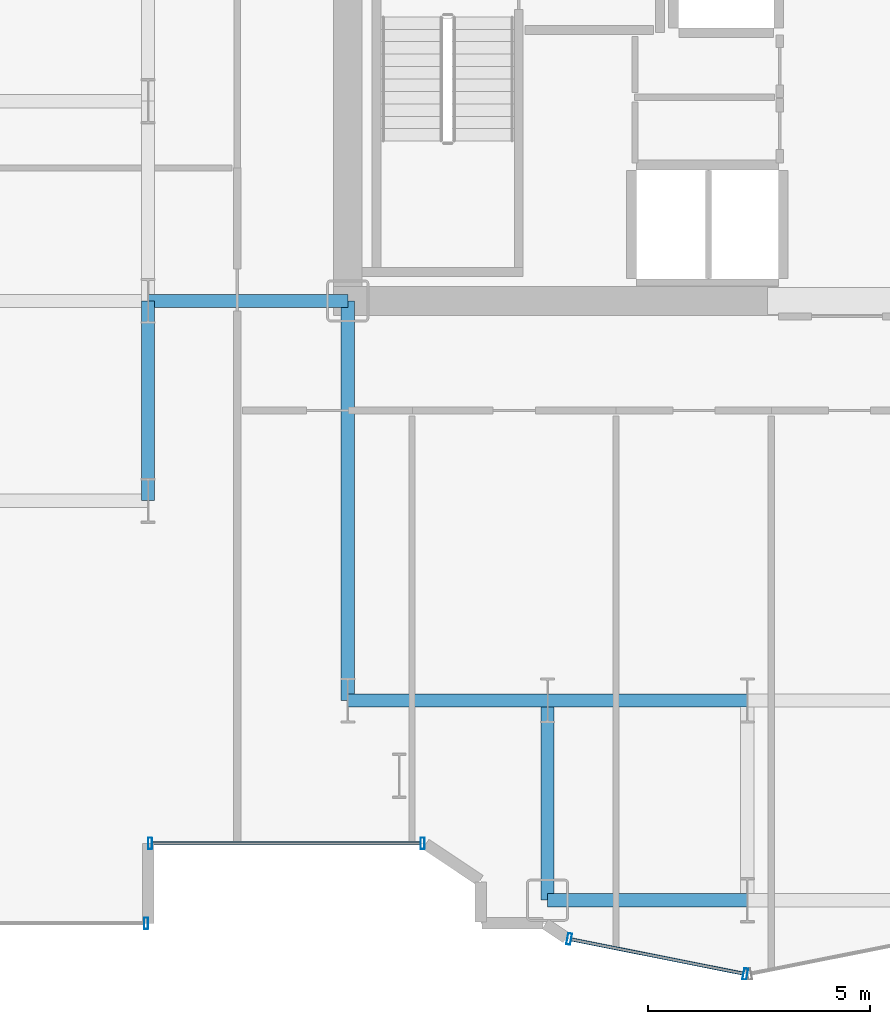
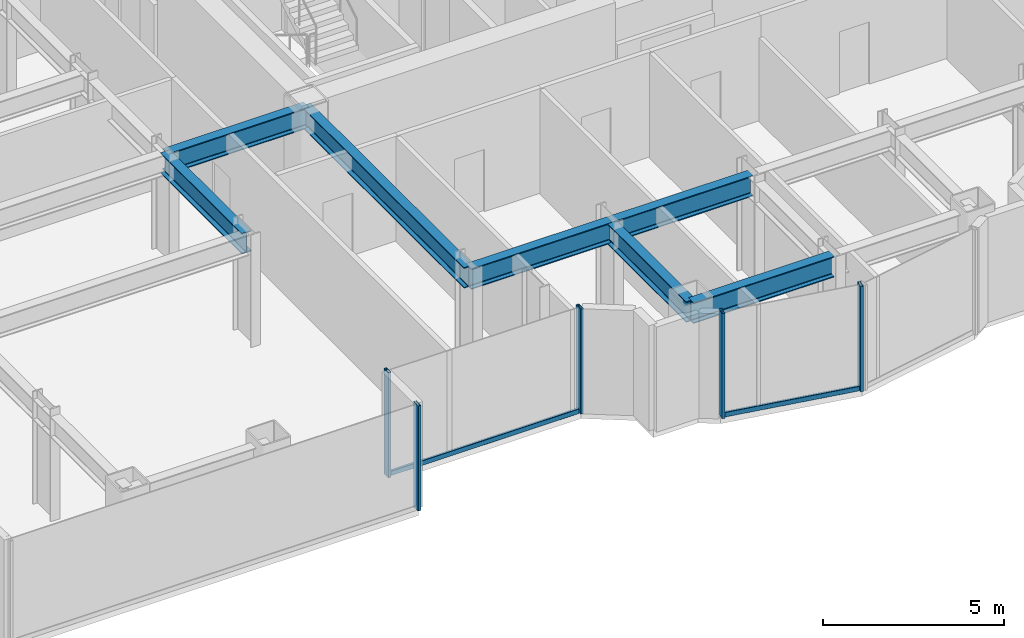
# One storey, part 4 of 26: 7 beams, 7 members, 3 elements without a shape of their own.
"""IFC4 building model written with IfcOpenShell, lengths in metres."""

from ifc_helpers import new_model, si_unit, direction, frame, origin, origin_2d, place, context, subcontext, project, spatial, hollow_rectangle, i_section, extrude, source, transform, mapped, material, layer, layer_set, material_profile, profile_set, type_object, element, aggregate, save


model = new_model("IFC4")

# Units and contexts
model_context = context("Model", 3, precision=1e-05, world=origin(), true_north=direction((0.0, 1.0)))
body_context = subcontext(model_context, "Body", "Model", "MODEL_VIEW")
ifc_project = project(units=[si_unit("LENGTHUNIT", "METRE"), si_unit("AREAUNIT", "SQUARE_METRE"), si_unit("VOLUMEUNIT", "CUBIC_METRE"), si_unit("PLANEANGLEUNIT", "RADIAN"), si_unit("MASSUNIT", "GRAM", prefix="KILO")], contexts=[model_context])

# Site, building, storey
site_placement = place(None, origin())
site = spatial("IfcSite", under=ifc_project, at=site_placement, CompositionType="ELEMENT")
building_placement = place(site_placement, origin())
building = spatial("IfcBuilding", under=site, at=building_placement, Name="Nefas-Gora Pilgrimage Tower", CompositionType="ELEMENT")
storey_placement = place(building_placement, frame((0.0, 0.0, 59.60009765625)))
storey = spatial("IfcBuildingStorey", under=building, at=storey_placement, Name="L13", CompositionType="ELEMENT", Elevation=59.60009765625)

# Beams
ifc_material_1 = material(Name="Steel S355", Category="steel")
ifc_material_profile_1 = material_profile(ifc_material_1, i_section(OverallWidth=0.300048828125, OverallDepth=0.699951171875, WebThickness=0.01708984375, FlangeThickness=0.031982421875, FilletRadius=0.027099609375, at=origin_2d()), Name="HEB 700")
ifc_profile_set_1 = profile_set([ifc_material_profile_1], Name="Steel S355")
beam_type = type_object("IfcBeamType", Name="BM-GIR-HEB700", PredefinedType="BEAM", material=ifc_profile_set_1)
shared_shape_1 = source(origin(), body_context, "Body", "SweptSolid", [
    extrude(i_section(OverallWidth=0.300048828125, OverallDepth=0.699951171875, WebThickness=0.01708984375, FlangeThickness=0.031982421875, FilletRadius=0.027099609375, at=origin_2d()), origin(), (0.0, 0.0, 1.0), 9.0),
])
beam_placement = place(storey_placement, frame((-11.25, -18.0, 3.199951171875), z_axis=(0.0, 1.0, 0.0), x_axis=(-1.0, 0.0, 0.0)))
element("IfcBeam", 1, at=beam_placement, inside=storey, type_object=beam_type, Name="L13 G-02 beam", PredefinedType="BEAM", context=body_context, shape_type="MappedRepresentation", body=[
    mapped(shared_shape_1, transform((0.0, 0.0, 0.0), x_axis=(1.0, 0.0, 0.0), y_axis=(0.0, 1.0, 0.0), z_axis=(0.0, 0.0, 1.0), scale=1.0)),
])
shared_shape_2 = source(origin(), body_context, "Body", "SweptSolid", [
    extrude(i_section(OverallWidth=0.300048828125, OverallDepth=0.699951171875, WebThickness=0.01708984375, FlangeThickness=0.031982421875, FilletRadius=0.027099609375, at=origin_2d()), origin(), (0.0, 0.0, 1.0), 4.5),
])
for number, where, z_axis, x_axis, name in (
    (2, (-15.75, -13.5, 3.199951171875), (0.0, 1.0, 0.0), (-1.0, 0.0, 0.0), "L13 G-02 beam"),
    (3, (-15.75, -9.0, 3.199951171875), (1.0, 0.0, 0.0), (0.0, 1.0, 0.0), "L13 G-02 beam"),
    (4, (-11.25, -18.0, 3.199951171875), (1.0, 0.0, 0.0), (0.0, 1.0, 0.0), "L13 G-02 beam"),
    (5, (-6.75, -22.5, 3.199951171875), (0.0, 1.0, 0.0), (-1.0, 0.0, 0.0), "L13 G-02 beam"),
    (6, (-6.75, -22.5, 3.199951171875), (1.0, 0.0, 0.0), (0.0, 1.0, 0.0), "L13 G-02 beam"),
    (7, (-6.75, -18.0, 3.199951171875), (1.0, 0.0, 0.0), (0.0, 1.0, 0.0), "L13 G-02 beam"),
):
    element("IfcBeam", number, at=place(storey_placement, frame(where, z_axis=z_axis, x_axis=x_axis)), inside=storey, type_object=beam_type, Name=name, PredefinedType="BEAM", context=body_context, shape_type="MappedRepresentation", body=[
        mapped(shared_shape_2, transform((0.0, 0.0, 0.0), x_axis=(1.0, 0.0, 0.0), y_axis=(0.0, 1.0, 0.0), z_axis=(0.0, 0.0, 1.0), scale=1.0)),
    ])

# Curtain wall, member
ifc_material_2 = material(Name="Dark ceramic-fritted solar-control aluminium-glass curtain wall", Category="aluminium")
ifc_layer_1 = layer(ifc_material_2, 0.219970703125)
ifc_layer_set_1 = layer_set([ifc_layer_1], Name="Dark ceramic-fritted solar-control aluminium-glass curtain wall")
curtain_wall_type_1 = type_object("IfcCurtainWallType", Name="CW-SYS-5", PredefinedType="NOTDEFINED", material=ifc_layer_set_1)
curtain_wall_1_placement = place(storey_placement, origin())
curtain_wall_1 = element("IfcCurtainWall", 8, at=curtain_wall_1_placement, inside=storey, type_object=curtain_wall_type_1, Name="L13 Unitised Curtain Wall CW5", PredefinedType="NOTDEFINED")
ifc_material_3 = material(Name="Anodised architectural aluminium", Category="aluminium")
ifc_material_profile_2 = material_profile(ifc_material_3, hollow_rectangle(XDim=0.080078125, YDim=0.159912109375, WallThickness=0.00439453125, InnerFilletRadius=0.00439453125, OuterFilletRadius=0.009033203125, at=origin_2d()), Name="ALU TRANSOM 80x160")
ifc_profile_set_2 = profile_set([ifc_material_profile_2], Name="Anodised architectural aluminium")
member_type_1 = type_object("IfcMemberType", Name="CWM-TRN-5", PredefinedType="USERDEFINED", material=ifc_profile_set_2)
shared_shape_3 = source(origin(), body_context, "Body", "SweptSolid", [
    extrude(hollow_rectangle(XDim=0.080078125, YDim=0.159912109375, WallThickness=0.00439453125, InnerFilletRadius=0.00439453125, OuterFilletRadius=0.009033203125, at=origin_2d()), origin(), (0.0, 0.0, 1.0), 6.052001953125),
])
member_1_placement = place(storey_placement, frame((-15.659912109375, -21.219970703125, 0.0498046875), z_axis=(1.0, 0.0, 0.0), x_axis=(0.0, 1.0, 0.0)))
member_1 = element("IfcMember", 9, at=member_1_placement, type_object=member_type_1, Name="CW5 Spandrel Transom", ObjectType="TRANSOM", PredefinedType="USERDEFINED", context=body_context, shape_type="MappedRepresentation", body=[
    mapped(shared_shape_3, transform((0.0, 0.0, 0.0), x_axis=(1.0, 0.0, 0.0), y_axis=(0.0, 1.0, 0.0), z_axis=(0.0, 0.0, 1.0), scale=1.0)),
])

curtain_wall_2_placement = place(storey_placement, origin())
curtain_wall_2 = element("IfcCurtainWall", 10, at=curtain_wall_2_placement, inside=storey, type_object=curtain_wall_type_1, Name="L13 Unitised Curtain Wall CW5", PredefinedType="NOTDEFINED")
shared_shape_4 = source(origin(), body_context, "Body", "SweptSolid", [
    extrude(hollow_rectangle(XDim=0.080078125, YDim=0.159912109375, WallThickness=0.00439453125, InnerFilletRadius=0.00439453125, OuterFilletRadius=0.009033203125, at=origin_2d()), origin(), (0.0, 0.0, 1.0), 3.95654296875),
])
member_2_placement = place(storey_placement, frame((-6.218994140625, -23.3828125, 0.0498046875), z_axis=(0.980781880918, -0.195107411605, 0.0), x_axis=(0.195107411605, 0.980781880918, 0.0)))
member_2 = element("IfcMember", 11, at=member_2_placement, type_object=member_type_1, Name="CW5 Spandrel Transom", ObjectType="TRANSOM", PredefinedType="USERDEFINED", context=body_context, shape_type="MappedRepresentation", body=[
    mapped(shared_shape_4, transform((0.0, 0.0, 0.0), x_axis=(1.0, 0.0, 0.0), y_axis=(0.0, 1.0, 0.0), z_axis=(0.0, 0.0, 1.0), scale=1.0)),
])

# Member
ifc_material_profile_3 = material_profile(ifc_material_3, hollow_rectangle(XDim=0.090087890625, YDim=0.260009765625, WallThickness=0.006103515625, InnerFilletRadius=0.006103515625, OuterFilletRadius=0.011962890625, at=origin_2d()), Name="ALU MULLION 90x260")
ifc_profile_set_3 = profile_set([ifc_material_profile_3], Name="Anodised architectural aluminium")
member_type_2 = type_object("IfcMemberType", Name="CWM-MUL-5", PredefinedType="MULLION", material=ifc_profile_set_3)
shared_shape_5 = source(origin(), body_context, "Body", "SweptSolid", [
    extrude(hollow_rectangle(XDim=0.090087890625, YDim=0.260009765625, WallThickness=0.006103515625, InnerFilletRadius=0.006103515625, OuterFilletRadius=0.011962890625, at=origin_2d()), origin(), (0.0, 0.0, 1.0), 3.5498046875),
])
member_3_placement = place(storey_placement, frame((-15.705078125, -21.219970703125, 0.0), z_axis=(0.0, 0.0, 1.0), x_axis=(1.0, 0.0, 0.0)))
member_3 = element("IfcMember", 12, at=member_3_placement, type_object=member_type_2, Name="CW5 Mullion 1", PredefinedType="MULLION", context=body_context, shape_type="MappedRepresentation", body=[
    mapped(shared_shape_5, transform((0.0, 0.0, 0.0), x_axis=(1.0, 0.0, 0.0), y_axis=(0.0, 1.0, 0.0), z_axis=(0.0, 0.0, 1.0), scale=1.0)),
])

member_4_placement = place(storey_placement, frame((-9.56298828125, -21.219970703125, 0.0), z_axis=(0.0, 0.0, 1.0), x_axis=(1.0, 0.0, 0.0)))
member_4 = element("IfcMember", 13, at=member_4_placement, type_object=member_type_2, Name="CW5 Mullion 2", PredefinedType="MULLION", context=body_context, shape_type="MappedRepresentation", body=[
    mapped(shared_shape_5, transform((0.0, 0.0, 0.0), x_axis=(1.0, 0.0, 0.0), y_axis=(0.0, 1.0, 0.0), z_axis=(0.0, 0.0, 1.0), scale=1.0)),
])

aggregate(curtain_wall_1, [member_3, member_4, member_1])

member_5_placement = place(storey_placement, frame((-6.26318359375, -23.3740234375, 0.0), z_axis=(0.0, 0.0, 1.0), x_axis=(0.980782896852, -0.195102304554, 0.0)))
member_5 = element("IfcMember", 14, at=member_5_placement, type_object=member_type_2, Name="CW5 Mullion 1", PredefinedType="MULLION", context=body_context, shape_type="MappedRepresentation", body=[
    mapped(shared_shape_5, transform((0.0, 0.0, 0.0), x_axis=(1.0, 0.0, 0.0), y_axis=(0.0, 1.0, 0.0), z_axis=(0.0, 0.0, 1.0), scale=1.0)),
])

member_6_placement = place(storey_placement, frame((-2.294189453125, -24.16357421875, 0.0), z_axis=(0.0, 0.0, 1.0), x_axis=(0.980782896852, -0.195102304554, 0.0)))
member_6 = element("IfcMember", 15, at=member_6_placement, type_object=member_type_2, Name="CW5 Mullion 2", PredefinedType="MULLION", context=body_context, shape_type="MappedRepresentation", body=[
    mapped(shared_shape_5, transform((0.0, 0.0, 0.0), x_axis=(1.0, 0.0, 0.0), y_axis=(0.0, 1.0, 0.0), z_axis=(0.0, 0.0, 1.0), scale=1.0)),
])

aggregate(curtain_wall_2, [member_5, member_6, member_2])

# Curtain wall, member
ifc_layer_2 = layer(ifc_material_2, 0.219970703125)
ifc_layer_set_2 = layer_set([ifc_layer_2], Name="Dark ceramic-fritted solar-control aluminium-glass curtain wall")
curtain_wall_type_2 = type_object("IfcCurtainWallType", Name="CW-SYS-2", PredefinedType="NOTDEFINED", material=ifc_layer_set_2)
curtain_wall_3_placement = place(storey_placement, origin())
curtain_wall_3 = element("IfcCurtainWall", 16, at=curtain_wall_3_placement, inside=storey, type_object=curtain_wall_type_2, Name="L13 Unitised Curtain Wall CW2", PredefinedType="NOTDEFINED")
ifc_material_profile_4 = material_profile(ifc_material_3, hollow_rectangle(XDim=0.090087890625, YDim=0.260009765625, WallThickness=0.006103515625, InnerFilletRadius=0.006103515625, OuterFilletRadius=0.011962890625, at=origin_2d()), Name="ALU MULLION 90x260")
ifc_profile_set_4 = profile_set([ifc_material_profile_4], Name="Anodised architectural aluminium")
member_type_3 = type_object("IfcMemberType", Name="CWM-MUL-2", PredefinedType="MULLION", material=ifc_profile_set_4)
shared_shape_6 = source(origin(), body_context, "Body", "SweptSolid", [
    extrude(hollow_rectangle(XDim=0.090087890625, YDim=0.260009765625, WallThickness=0.006103515625, InnerFilletRadius=0.006103515625, OuterFilletRadius=0.011962890625, at=origin_2d()), origin(), (0.0, 0.0, 1.0), 3.5498046875),
])
member_7_placement = place(storey_placement, frame((-15.794921875, -23.02001953125, 0.0), z_axis=(0.0, 0.0, 1.0), x_axis=(1.0, 0.0, 0.0)))
member_7 = element("IfcMember", 17, at=member_7_placement, type_object=member_type_3, Name="CW2 Mullion 2", PredefinedType="MULLION", context=body_context, shape_type="MappedRepresentation", body=[
    mapped(shared_shape_6, transform((0.0, 0.0, 0.0), x_axis=(1.0, 0.0, 0.0), y_axis=(0.0, 1.0, 0.0), z_axis=(0.0, 0.0, 1.0), scale=1.0)),
])
aggregate(curtain_wall_3, [member_7])

save(model, "model.ifc")
